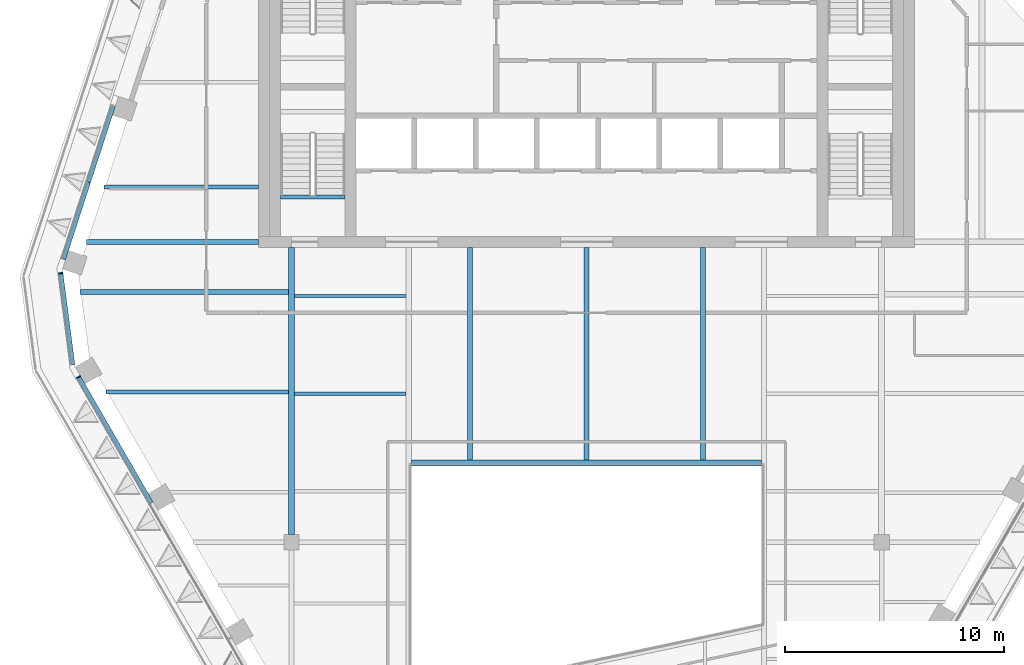
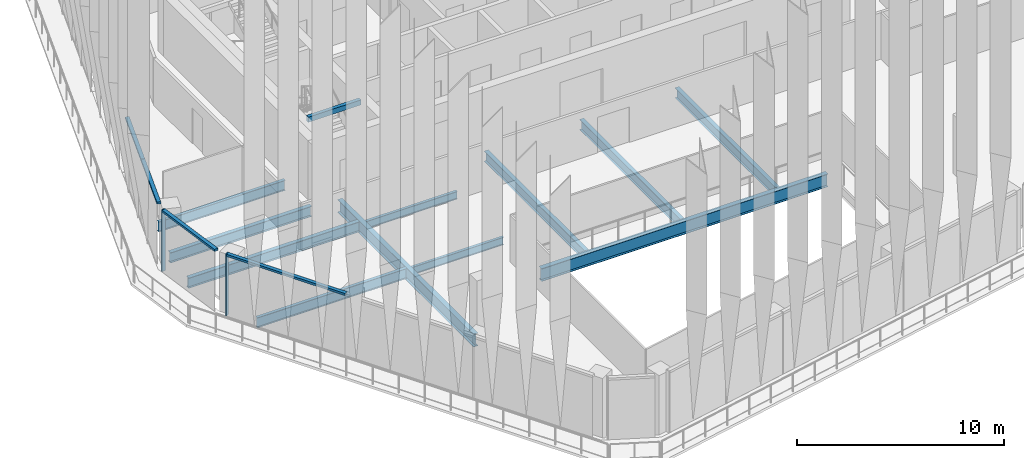
# One storey, part 3 of 21: 12 beams, 6 members, 3 elements without a shape of their own.
"""IFC4 building model written with IfcOpenShell, lengths in metres."""

from ifc_helpers import new_model, si_unit, direction, frame, origin, origin_2d, place, context, subcontext, project, spatial, rectangle, i_section, extrude, material, layer, layer_set, material_profile, profile_set, type_object, element, aggregate, save


model = new_model("IFC4")

# Units and contexts
model_context = context("Model", 3, precision=1e-05, world=origin(), true_north=direction((0.0, 1.0)))
body_context = subcontext(model_context, "Body", "Model", "MODEL_VIEW")
ifc_project = project(units=[si_unit("LENGTHUNIT", "METRE"), si_unit("AREAUNIT", "SQUARE_METRE"), si_unit("VOLUMEUNIT", "CUBIC_METRE"), si_unit("PLANEANGLEUNIT", "RADIAN"), si_unit("MASSUNIT", "GRAM", prefix="KILO")], contexts=[model_context])

# Site, building, storey
site_placement = place(None, origin())
site = spatial("IfcSite", under=ifc_project, at=site_placement, CompositionType="ELEMENT")
building_placement = place(site_placement, origin())
building = spatial("IfcBuilding", under=site, at=building_placement, Name="Isthmus Gate Tower", CompositionType="ELEMENT")
storey_placement = place(building_placement, frame((0.0, 0.0, 260.949951171875)))
storey = spatial("IfcBuildingStorey", under=building, at=storey_placement, Name="L66", CompositionType="ELEMENT", Elevation=260.949951171875)

# Curtain wall, member
ifc_material_1 = material(Name="Aluminium, pale champagne anodised", Category="aluminium")
ifc_layer = layer(ifc_material_1, 0.199951171875)
ifc_layer_set = layer_set([ifc_layer], Name="CW-1 UNITISED CURTAIN WALL 200 DEEP")
curtain_wall_type = type_object("IfcCurtainWallType", Name="CW-1 UNITISED CURTAIN WALL 200 DEEP", PredefinedType="NOTDEFINED", material=ifc_layer_set)
curtain_wall_1_placement = place(storey_placement, origin())
curtain_wall_1 = element("IfcCurtainWall", 1, at=curtain_wall_1_placement, inside=storey, type_object=curtain_wall_type, Name="CW-1 NW-SW L66", PredefinedType="NOTDEFINED")
ifc_material_2 = material(Name="Aluminium, pale champagne anodised", Category="aluminium")
ifc_material_profile_1 = material_profile(ifc_material_2, rectangle(XDim=0.06005859375, YDim=0.199951171875, at=origin_2d()), Name="60x200")
ifc_profile_set_1 = profile_set([ifc_material_profile_1], Name="Aluminium, pale champagne anodised")
member_type_1 = type_object("IfcMemberType", Name="CW-1 MULLION 60 X 200", PredefinedType="MULLION", material=ifc_profile_set_1)
member_1_placement = place(storey_placement, frame((-24.0576171875, -1.18603515625, 0.0), z_axis=(0.0, 0.0, 1.0), x_axis=(0.129164534, -0.991623175988, 0.0)))
member_1 = element("IfcMember", 2, at=member_1_placement, type_object=member_type_1, Name="CW-1 mullion", PredefinedType="MULLION", context=body_context, shape_type="SweptSolid", body=[
    extrude(rectangle(XDim=0.06005859375, YDim=0.199951171875, at=origin_2d()), origin(), (0.0, 0.0, 1.0), 3.650146484375),
])

curtain_wall_2_placement = place(storey_placement, origin())
curtain_wall_2 = element("IfcCurtainWall", 3, at=curtain_wall_2_placement, inside=storey, type_object=curtain_wall_type, Name="CW-1 SW L66", PredefinedType="NOTDEFINED")
member_2_placement = place(storey_placement, frame((-23.244873046875, -5.938720703125, 0.0), z_axis=(0.0, 0.0, 1.0), x_axis=(0.5, -0.866025403784, 0.0)))
member_2 = element("IfcMember", 4, at=member_2_placement, type_object=member_type_1, Name="CW-1 mullion", PredefinedType="MULLION", context=body_context, shape_type="SweptSolid", body=[
    extrude(rectangle(XDim=0.06005859375, YDim=0.199951171875, at=origin_2d()), origin(), (0.0, 0.0, 1.0), 3.650146484375),
])

# Curtain wall, members
curtain_wall_3_placement = place(storey_placement, origin())
curtain_wall_3 = element("IfcCurtainWall", 5, at=curtain_wall_3_placement, inside=storey, type_object=curtain_wall_type, Name="CW-1 NW L66", PredefinedType="NOTDEFINED")
ifc_material_3 = material(Name="Aluminium, pale champagne anodised", Category="aluminium")
ifc_material_profile_2 = material_profile(ifc_material_3, rectangle(XDim=0.199951171875, YDim=0.1298828125, at=origin_2d()), Name="200x130")
ifc_profile_set_2 = profile_set([ifc_material_profile_2], Name="Aluminium, pale champagne anodised")
member_type_2 = type_object("IfcMemberType", Name="CW-1 TRANSOM 200 X 130", PredefinedType="USERDEFINED", material=ifc_profile_set_2)
member_3_placement = place(storey_placement, frame((-21.66650390625, 6.4443359375, 3.5849609375), z_axis=(-0.30898152177, -0.951068041312, 0.0), x_axis=(0.951068041312, -0.30898152177, 0.0)))
member_3 = element("IfcMember", 6, at=member_3_placement, type_object=member_type_2, Name="CW-1 transom", ObjectType="TRANSOM", PredefinedType="USERDEFINED", context=body_context, shape_type="SweptSolid", body=[
    extrude(rectangle(XDim=0.199951171875, YDim=0.1298828125, at=origin_2d()), origin(), (0.0, 0.0, 1.0), 3.643310546875),
])
member_4_placement = place(storey_placement, frame((-22.792236328125, 2.979248046875, 3.5849609375), z_axis=(-0.309039863592, -0.951049085332, 0.0), x_axis=(0.951049085332, -0.309039863592, 0.0)))
member_4 = element("IfcMember", 7, at=member_4_placement, type_object=member_type_2, Name="CW-1 transom", ObjectType="TRANSOM", PredefinedType="USERDEFINED", context=body_context, shape_type="SweptSolid", body=[
    extrude(rectangle(XDim=0.199951171875, YDim=0.1298828125, at=origin_2d()), origin(), (0.0, 0.0, 1.0), 3.70361328125),
])
aggregate(curtain_wall_3, [member_3, member_4])

# Member
member_5_placement = place(storey_placement, frame((-24.0537109375, -1.215576171875, 3.5849609375), z_axis=(0.129149481977, -0.991625136483, 0.0), x_axis=(0.991625136483, 0.129149481977, 0.0)))
member_5 = element("IfcMember", 8, at=member_5_placement, type_object=member_type_2, Name="CW-1 transom", ObjectType="TRANSOM", PredefinedType="USERDEFINED", context=body_context, shape_type="SweptSolid", body=[
    extrude(rectangle(XDim=0.199951171875, YDim=0.1298828125, at=origin_2d()), origin(), (0.0, 0.0, 1.0), 4.181396484375),
])

aggregate(curtain_wall_1, [member_1, member_5])

member_6_placement = place(storey_placement, frame((-23.22998046875, -5.964599609375, 3.5849609375), z_axis=(0.49999574405, -0.866027860944, 0.0), x_axis=(0.866027860944, 0.49999574405, 0.0)))
member_6 = element("IfcMember", 9, at=member_6_placement, type_object=member_type_2, Name="CW-1 transom", ObjectType="TRANSOM", PredefinedType="USERDEFINED", context=body_context, shape_type="SweptSolid", body=[
    extrude(rectangle(XDim=0.199951171875, YDim=0.1298828125, at=origin_2d()), origin(), (0.0, 0.0, 1.0), 6.62451171875),
])

aggregate(curtain_wall_2, [member_2, member_6])

# Beams
ifc_material_4 = material(Name="Concrete f'c 40 MPa", Category="concrete")
ifc_material_profile_3 = material_profile(ifc_material_4, rectangle(XDim=0.199951171875, YDim=0.300048828125, at=origin_2d()), Name="STAIR LANDING BEAM RC 200 X 300")
ifc_profile_set_3 = profile_set([ifc_material_profile_3], Name="Concrete f'c 40 MPa")
beam_type_1 = type_object("IfcBeamType", Name="STAIR LANDING BEAM RC 200 X 300", PredefinedType="BEAM", material=ifc_profile_set_3)
beam_1_placement = place(storey_placement, frame((-14.0, 2.2998046875, 3.35009765625), z_axis=(1.0, 0.0, 0.0), x_axis=(0.0, 1.0, 0.0)))
element("IfcBeam", 10, at=beam_1_placement, inside=storey, type_object=beam_type_1, Name="L66 ST7 floor-edge seat beam", PredefinedType="BEAM", context=body_context, shape_type="SweptSolid", body=[
    extrude(rectangle(XDim=0.199951171875, YDim=0.300048828125, at=origin_2d()), origin(), (0.0, 0.0, 1.0), 2.949951171875),
])
ifc_material_5 = material(Name="Structural steel ASTM A992 Gr 50", Category="steel")
ifc_material_profile_4 = material_profile(ifc_material_5, i_section(OverallWidth=0.15234375, OverallDepth=0.45068359375, WebThickness=0.0078125, FlangeThickness=0.010986328125, at=origin_2d()), Name="W18X35")
ifc_profile_set_4 = profile_set([ifc_material_profile_4], Name="Structural steel ASTM A992 Gr 50")
beam_type_2 = type_object("IfcBeamType", Name="STEEL FLOOR BEAM W18X35", PredefinedType="JOIST", material=ifc_profile_set_4)
for number, where, z_axis, x_axis, name in (
    (11, (-13.3681640625, -6.697509765625, -0.375244140625), (1.0, 0.0, 0.0), (0.0, 1.0, 0.0), "str-beam-L66-03-01"),
    (12, (-13.3681640625, -2.232421875, -0.375244140625), (1.0, 0.0, 0.0), (0.0, 1.0, 0.0), "str-beam-L66-03-02"),
):
    element("IfcBeam", number, at=place(storey_placement, frame(where, z_axis=z_axis, x_axis=x_axis)), inside=storey, type_object=beam_type_2, Name=name, PredefinedType="JOIST", context=body_context, shape_type="SweptSolid", body=[
        extrude(i_section(OverallWidth=0.15234375, OverallDepth=0.45068359375, WebThickness=0.0078125, FlangeThickness=0.010986328125, at=origin_2d()), origin(), (0.0, 0.0, 1.0), 5.1142578125),
    ])
ifc_material_6 = material(Name="Structural steel ASTM A992 Gr 50", Category="steel")
ifc_material_profile_5 = material_profile(ifc_material_6, i_section(OverallWidth=0.177734375, OverallDepth=0.60009765625, WebThickness=0.009521484375, FlangeThickness=0.0126953125, at=origin_2d()), Name="W24X55")
ifc_profile_set_5 = profile_set([ifc_material_profile_5], Name="Structural steel ASTM A992 Gr 50")
beam_type_3 = type_object("IfcBeamType", Name="STEEL FLOOR BEAM W24X55", PredefinedType="JOIST", material=ifc_profile_set_5)
beam_2_placement = place(storey_placement, frame((-22.072509765625, 2.761962890625, -0.449951171875), z_axis=(1.0, 0.0, 0.0), x_axis=(0.0, 1.0, 0.0)))
element("IfcBeam", 13, at=beam_2_placement, inside=storey, type_object=beam_type_3, Name="str-beam-L66-00-00", PredefinedType="JOIST", context=body_context, shape_type="SweptSolid", body=[
    extrude(i_section(OverallWidth=0.177734375, OverallDepth=0.60009765625, WebThickness=0.009521484375, FlangeThickness=0.0126953125, at=origin_2d()), origin(), (0.0, 0.0, 1.0), 7.072509765625),
])
beam_3_placement = place(storey_placement, frame((-21.980712890625, -6.625, -0.449951171875), z_axis=(1.0, 0.0, 0.0), x_axis=(0.0, 1.0, 0.0)))
element("IfcBeam", 14, at=beam_3_placement, inside=storey, type_object=beam_type_3, Name="str-beam-L66-01-01", PredefinedType="JOIST", context=body_context, shape_type="SweptSolid", body=[
    extrude(i_section(OverallWidth=0.177734375, OverallDepth=0.60009765625, WebThickness=0.009521484375, FlangeThickness=0.0126953125, at=origin_2d()), origin(), (0.0, 0.0, 1.0), 8.348876953125),
])
ifc_material_7 = material(Name="Structural steel ASTM A992 Gr 50", Category="steel")
ifc_material_profile_6 = material_profile(ifc_material_7, i_section(OverallWidth=0.228515625, OverallDepth=0.603271484375, WebThickness=0.010986328125, FlangeThickness=0.014404296875, at=origin_2d()), Name="W24X68")
ifc_profile_set_6 = profile_set([ifc_material_profile_6], Name="Structural steel ASTM A992 Gr 50")
beam_type_4 = type_object("IfcBeamType", Name="STEEL FLOOR BEAM W24X68", PredefinedType="JOIST", material=ifc_profile_set_6)
beam_4_placement = place(storey_placement, frame((-23.188232421875, -2.041748046875, -0.45166015625), z_axis=(1.0, 0.0, 0.0), x_axis=(0.0, 1.0, 0.0)))
element("IfcBeam", 15, at=beam_4_placement, inside=storey, type_object=beam_type_4, Name="str-beam-L66-01-02", PredefinedType="JOIST", context=body_context, shape_type="SweptSolid", body=[
    extrude(i_section(OverallWidth=0.228515625, OverallDepth=0.603271484375, WebThickness=0.010986328125, FlangeThickness=0.014404296875, at=origin_2d()), origin(), (0.0, 0.0, 1.0), 9.556396484375),
])
for number, where, z_axis, x_axis, name in (
    (16, (-5.333251953125, -9.7333984375, -0.45166015625), (0.0, 1.0, 0.0), (-1.0, 0.0, 0.0), "str-beam-L66-06-00"),
    (17, (0.0, -9.7333984375, -0.45166015625), (0.0, 1.0, 0.0), (-1.0, 0.0, 0.0), "str-beam-L66-06-01"),
    (18, (5.333251953125, -9.7333984375, -0.45166015625), (0.0, 1.0, 0.0), (-1.0, 0.0, 0.0), "str-beam-L66-06-02"),
):
    element("IfcBeam", number, at=place(storey_placement, frame(where, z_axis=z_axis, x_axis=x_axis)), inside=storey, type_object=beam_type_4, Name=name, PredefinedType="JOIST", context=body_context, shape_type="SweptSolid", body=[
        extrude(i_section(OverallWidth=0.228515625, OverallDepth=0.603271484375, WebThickness=0.010986328125, FlangeThickness=0.014404296875, at=origin_2d()), origin(), (0.0, 0.0, 1.0), 9.7333984375),
    ])
ifc_material_8 = material(Name="Structural steel ASTM A992 Gr 50", Category="steel")
ifc_material_profile_7 = material_profile(ifc_material_8, i_section(OverallWidth=0.228515625, OverallDepth=0.603271484375, WebThickness=0.010986328125, FlangeThickness=0.014404296875, at=origin_2d()), Name="W24X68")
ifc_profile_set_7 = profile_set([ifc_material_profile_7], Name="Structural steel ASTM A992 Gr 50")
beam_type_5 = type_object("IfcBeamType", Name="STEEL GIRDER W24X68", PredefinedType="BEAM", material=ifc_profile_set_7)
beam_5_placement = place(storey_placement, frame((-15.0, 0.25, -0.45166015625), z_axis=(-1.0, 0.0, 0.0), x_axis=(0.0, -1.0, 0.0)))
element("IfcBeam", 19, at=beam_5_placement, inside=storey, type_object=beam_type_5, Name="str-girder-L66-09", PredefinedType="BEAM", context=body_context, shape_type="SweptSolid", body=[
    extrude(i_section(OverallWidth=0.228515625, OverallDepth=0.603271484375, WebThickness=0.010986328125, FlangeThickness=0.014404296875, at=origin_2d()), origin(), (0.0, 0.0, 1.0), 7.888916015625),
])
ifc_material_9 = material(Name="Structural steel ASTM A992 Gr 50", Category="steel")
ifc_material_profile_8 = material_profile(ifc_material_9, i_section(OverallWidth=0.263427734375, OverallDepth=0.749267578125, WebThickness=0.0126953125, FlangeThickness=0.015869140625, at=origin_2d()), Name="W30X90")
ifc_profile_set_8 = profile_set([ifc_material_profile_8], Name="Structural steel ASTM A992 Gr 50")
beam_type_6 = type_object("IfcBeamType", Name="STEEL GIRDER W30X90", PredefinedType="BEAM", material=ifc_profile_set_8)
beam_6_placement = place(storey_placement, frame((-13.5, -13.14990234375, -0.524658203125), z_axis=(0.0, 1.0, 0.0), x_axis=(-1.0, 0.0, 0.0)))
element("IfcBeam", 20, at=beam_6_placement, inside=storey, type_object=beam_type_6, Name="str-girder-L66-06", PredefinedType="BEAM", context=body_context, shape_type="SweptSolid", body=[
    extrude(i_section(OverallWidth=0.263427734375, OverallDepth=0.749267578125, WebThickness=0.0126953125, FlangeThickness=0.015869140625, at=origin_2d()), origin(), (0.0, 0.0, 1.0), 13.14990234375),
])
ifc_material_10 = material(Name="Structural steel ASTM A992 Gr 50", Category="steel")
ifc_material_profile_9 = material_profile(ifc_material_10, i_section(OverallWidth=0.2666015625, OverallDepth=0.7587890625, WebThickness=0.014404296875, FlangeThickness=0.01904296875, at=origin_2d()), Name="W30X108")
ifc_profile_set_9 = profile_set([ifc_material_profile_9], Name="Structural steel ASTM A992 Gr 50")
beam_type_7 = type_object("IfcBeamType", Name="STEEL TRIMMER W30X108", PredefinedType="BEAM", material=ifc_profile_set_9)
beam_7_placement = place(storey_placement, frame((8.0, -9.86669921875, -0.529296875), z_axis=(-1.0, 0.0, 0.0), x_axis=(0.0, -1.0, 0.0)))
element("IfcBeam", 21, at=beam_7_placement, inside=storey, type_object=beam_type_7, Name="str-trimmer-L66-04", PredefinedType="BEAM", context=body_context, shape_type="SweptSolid", body=[
    extrude(i_section(OverallWidth=0.2666015625, OverallDepth=0.7587890625, WebThickness=0.014404296875, FlangeThickness=0.01904296875, at=origin_2d()), origin(), (0.0, 0.0, 1.0), 16.0),
])

save(model, "model.ifc")
